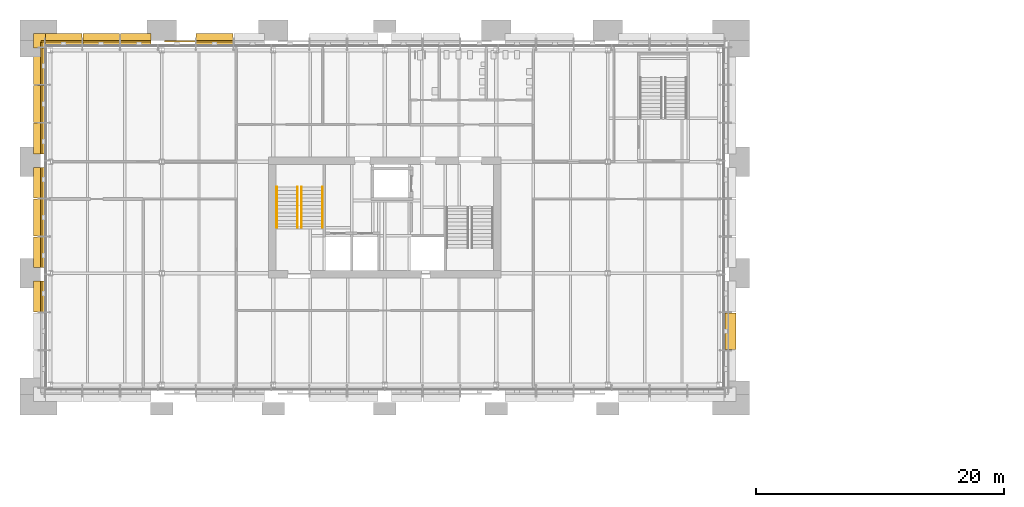
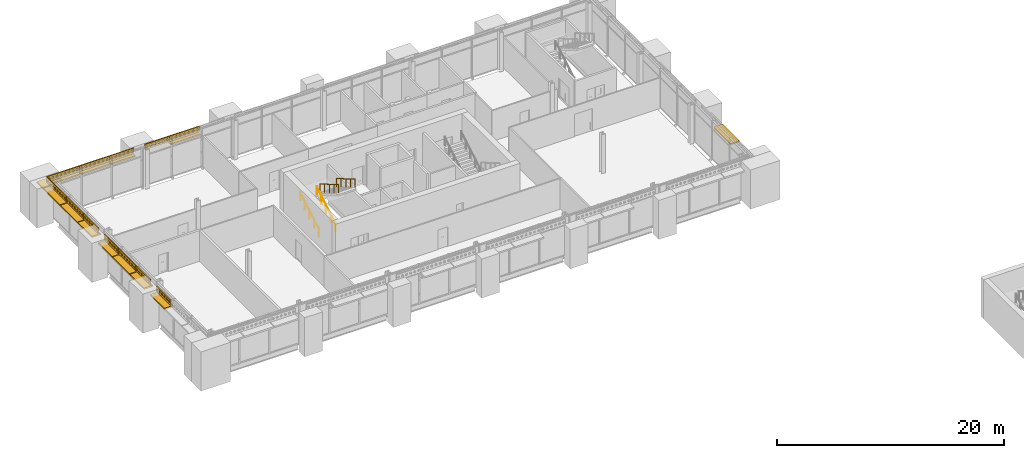
# One storey, part 47 of 54: 25 shading devices, 4 railings.
"""IFC4 building model written with IfcOpenShell, lengths in metres."""

from ifc_helpers import new_model, si_unit, direction, frame, origin, origin_2d, place, context, subcontext, project, spatial, polyline, rectangle, circle, outline, extrude, material, layer, layer_set, type_object, element, save


model = new_model("IFC4")

# Units and contexts
model_context = context("Model", 3, precision=1e-05, world=origin(), true_north=direction((0.0, 1.0)))
body_context = subcontext(model_context, "Body", "Model", "MODEL_VIEW")
ifc_project = project(units=[si_unit("LENGTHUNIT", "METRE"), si_unit("AREAUNIT", "SQUARE_METRE"), si_unit("VOLUMEUNIT", "CUBIC_METRE"), si_unit("PLANEANGLEUNIT", "RADIAN"), si_unit("MASSUNIT", "GRAM", prefix="KILO")], contexts=[model_context])

# Site, building, storey
site_placement = place(None, origin())
site = spatial("IfcSite", under=ifc_project, at=site_placement, CompositionType="ELEMENT")
building_placement = place(site_placement, origin())
building = spatial("IfcBuilding", under=site, at=building_placement, Name="Baradari Gate Terminus", CompositionType="ELEMENT")
storey_placement = place(building_placement, frame((0.0, 0.0, 15.89990234375)))
storey = spatial("IfcBuildingStorey", under=building, at=storey_placement, Name="L03", CompositionType="ELEMENT", Elevation=15.89990234375)

# Shading devices
ifc_material_1 = material(Name="Concrete C40/50 precast", Category="concrete")
ifc_layer_1 = layer(ifc_material_1, 0.14990234375)
ifc_layer_set_1 = layer_set([ifc_layer_1], Name="Concrete C40/50 precast")
shading_device_type_1 = type_object("IfcShadingDeviceType", Name="Chhajja band CJ-1 900x150", PredefinedType="AWNING", material=ifc_layer_set_1)
shading_device_1_placement = place(storey_placement, frame((10.072265625, 144.919921875, 3.332763671875), z_axis=(0.0, 0.0, 1.0), x_axis=(1.0, 0.0, 0.0)))
element("IfcShadingDevice", 1, at=shading_device_1_placement, inside=storey, type_object=shading_device_type_1, Name="Chhajja band CJ-1 L03/TN bay 1", PredefinedType="AWNING", context=body_context, shape_type="SweptSolid", body=[
    extrude(rectangle(XDim=2.939697265625, YDim=0.89990234375, at=origin_2d()), origin(), (0.0, 0.0, 1.0), 0.14990234375),
])
shading_device_2_placement = place(storey_placement, frame((13.1083984375, 144.919921875, 3.332763671875), z_axis=(0.0, 0.0, 1.0), x_axis=(1.0, 0.0, 0.0)))
element("IfcShadingDevice", 2, at=shading_device_2_placement, inside=storey, type_object=shading_device_type_1, Name="Chhajja band CJ-1 L03/TN bay 2", PredefinedType="AWNING", context=body_context, shape_type="SweptSolid", body=[
    extrude(rectangle(XDim=2.97216796875, YDim=0.89990234375, at=origin_2d()), origin(), (0.0, 0.0, 1.0), 0.14990234375),
])
shading_device_3_placement = place(storey_placement, frame((15.905517578125, 144.919921875, 3.332763671875), z_axis=(0.0, 0.0, 1.0), x_axis=(1.0, 0.0, 0.0)))
element("IfcShadingDevice", 3, at=shading_device_3_placement, inside=storey, type_object=shading_device_type_1, Name="Chhajja band CJ-1 L03/TN bay 3", PredefinedType="AWNING", context=body_context, shape_type="SweptSolid", body=[
    extrude(rectangle(XDim=2.462158203125, YDim=0.89990234375, at=origin_2d()), origin(), (0.0, 0.0, 1.0), 0.14990234375),
])
shading_device_4_placement = place(storey_placement, frame((22.264892578125, 144.919921875, 3.332763671875), z_axis=(0.0, 0.0, 1.0), x_axis=(1.0, 0.0, 0.0)))
element("IfcShadingDevice", 4, at=shading_device_4_placement, inside=storey, type_object=shading_device_type_1, Name="Chhajja band CJ-1 L03/TN bay 5", PredefinedType="AWNING", context=body_context, shape_type="SweptSolid", body=[
    extrude(rectangle(XDim=2.97216796875, YDim=0.89990234375, at=origin_2d()), origin(), (0.0, 0.0, 1.0), 0.14990234375),
])
for number, where, z_axis, x_axis, name in (
    (5, (8.080078125, 124.125, 3.332763671875), (0.0, 0.0, 1.0), (0.0, 1.0, 0.0), "Chhajja band CJ-1 L03/TW bay 3"),
    (6, (8.080078125, 127.695068359375, 3.332763671875), (0.0, 0.0, 1.0), (0.0, 1.0, 0.0), "Chhajja band CJ-1 L03/TW bay 4"),
):
    element("IfcShadingDevice", number, at=place(storey_placement, frame(where, z_axis=z_axis, x_axis=x_axis)), inside=storey, type_object=shading_device_type_1, Name=name, PredefinedType="AWNING", context=body_context, shape_type="SweptSolid", body=[
        extrude(rectangle(XDim=2.469970703125, YDim=0.89990234375, at=origin_2d()), origin(), (0.0, 0.0, 1.0), 0.14990234375),
    ])
shading_device_5_placement = place(storey_placement, frame((8.080078125, 130.5, 3.332763671875), z_axis=(0.0, 0.0, 1.0), x_axis=(0.0, 1.0, 0.0)))
element("IfcShadingDevice", 7, at=shading_device_5_placement, inside=storey, type_object=shading_device_type_1, Name="Chhajja band CJ-1 L03/TW bay 5", PredefinedType="AWNING", context=body_context, shape_type="SweptSolid", body=[
    extrude(rectangle(XDim=2.97998046875, YDim=0.89990234375, at=origin_2d()), origin(), (0.0, 0.0, 1.0), 0.14990234375),
])
for number, where, z_axis, x_axis, name in (
    (8, (8.080078125, 133.304931640625, 3.332763671875), (0.0, 0.0, 1.0), (0.0, 1.0, 0.0), "Chhajja band CJ-1 L03/TW bay 6"),
    (9, (8.080078125, 136.875, 3.332763671875), (0.0, 0.0, 1.0), (0.0, 1.0, 0.0), "Chhajja band CJ-1 L03/TW bay 7"),
):
    element("IfcShadingDevice", number, at=place(storey_placement, frame(where, z_axis=z_axis, x_axis=x_axis)), inside=storey, type_object=shading_device_type_1, Name=name, PredefinedType="AWNING", context=body_context, shape_type="SweptSolid", body=[
        extrude(rectangle(XDim=2.469970703125, YDim=0.89990234375, at=origin_2d()), origin(), (0.0, 0.0, 1.0), 0.14990234375),
    ])
shading_device_6_placement = place(storey_placement, frame((8.080078125, 139.679931640625, 3.332763671875), z_axis=(0.0, 0.0, 1.0), x_axis=(0.0, 1.0, 0.0)))
element("IfcShadingDevice", 10, at=shading_device_6_placement, inside=storey, type_object=shading_device_type_1, Name="Chhajja band CJ-1 L03/TW bay 8", PredefinedType="AWNING", context=body_context, shape_type="SweptSolid", body=[
    extrude(rectangle(XDim=2.97998046875, YDim=0.89990234375, at=origin_2d()), origin(), (0.0, 0.0, 1.0), 0.14990234375),
])
shading_device_7_placement = place(storey_placement, frame((8.080078125, 142.7236328125, 3.332763671875), z_axis=(0.0, 0.0, 1.0), x_axis=(0.0, 1.0, 0.0)))
element("IfcShadingDevice", 11, at=shading_device_7_placement, inside=storey, type_object=shading_device_type_1, Name="Chhajja band CJ-1 L03/TW bay 9", PredefinedType="AWNING", context=body_context, shape_type="SweptSolid", body=[
    extrude(rectangle(XDim=2.947509765625, YDim=0.89990234375, at=origin_2d()), origin(), (0.0, 0.0, 1.0), 0.14990234375),
])
shading_device_8_placement = place(storey_placement, frame((63.919921875, 121.320068359375, 3.332763671875), z_axis=(0.0, 0.0, 1.0), x_axis=(0.0, 1.0, 0.0)))
element("IfcShadingDevice", 12, at=shading_device_8_placement, inside=storey, type_object=shading_device_type_1, Name="Chhajja band CJ-1 L03/TE bay 2", PredefinedType="AWNING", context=body_context, shape_type="SweptSolid", body=[
    extrude(rectangle(XDim=2.97998046875, YDim=0.89990234375, at=origin_2d()), origin(), (0.0, 0.0, 1.0), 0.14990234375),
])
shading_device_9_placement = place(storey_placement, frame((0.0, 0.0, 3.33251953125)))
element("IfcShadingDevice", 13, at=shading_device_9_placement, inside=storey, type_object=shading_device_type_1, Name="Chhajja band CJ-1 L03/NW corner", PredefinedType="AWNING", context=body_context, shape_type="SweptSolid", body=[
    extrude(outline(polyline([(7.6298828125, 144.197509765625), (8.530029296875, 144.197509765625), (8.530029296875, 144.469970703125), (8.6025390625, 144.469970703125), (8.6025390625, 145.3701171875), (7.6298828125, 145.3701171875), (7.6298828125, 144.197509765625)])), origin(), (0.0, 0.0, 1.0), 0.150146484375),
])

# Railings
ifc_material_2 = material(Name="Stainless steel 1.4301", Category="steel")
railing_type = type_object("IfcRailingType", Name="Handrail HR-1 900", PredefinedType="HANDRAIL", material=ifc_material_2)
for number, where, name in (
    (14, (27.284912109375, 129.675048828125, 0.175048828125), "Handrail ST-T1 L03 flight 1"),
    (15, (28.965087890625, 129.675048828125, 0.175048828125), "Handrail ST-T1 L03 flight 1"),
):
    element("IfcRailing", number, at=place(storey_placement, frame(where)), inside=storey, type_object=railing_type, Name=name, PredefinedType="HANDRAIL", context=body_context, shape_type="SweptSolid", body=[
        extrude(circle(Radius=0.02392578125, at=origin_2d()), frame((0.0, 0.0, 0.8759765625), z_axis=(0.0, 0.863776583165, 0.503874998761), x_axis=(-1.0, 0.0, 0.0)), (0.0, 0.0, 1.0), 3.820556640625),
        extrude(circle(Radius=0.02099609375, at=origin_2d()), origin(), (0.0, 0.0, 1.0), 0.851806640625),
        extrude(circle(Radius=0.02099609375, at=origin_2d()), frame((0.0, 0.824951171875, 0.481201171875)), (0.0, 0.0, 1.0), 0.851806640625),
        extrude(circle(Radius=0.02099609375, at=origin_2d()), frame((0.0, 1.64990234375, 0.96240234375)), (0.0, 0.0, 1.0), 0.851806640625),
        extrude(circle(Radius=0.02099609375, at=origin_2d()), frame((0.0, 2.47509765625, 1.44384765625)), (0.0, 0.0, 1.0), 0.851806640625),
        extrude(circle(Radius=0.02099609375, at=origin_2d()), frame((0.0, 3.300048828125, 1.925048828125)), (0.0, 0.0, 1.0), 0.851806640625),
    ])
for number, where, name in (
    (16, (29.284912109375, 132.97509765625, 2.275146484375), "Handrail ST-T1 L03 flight 2"),
    (17, (30.965087890625, 132.97509765625, 2.275146484375), "Handrail ST-T1 L03 flight 2"),
):
    element("IfcRailing", number, at=place(storey_placement, frame(where)), inside=storey, type_object=railing_type, Name=name, PredefinedType="HANDRAIL", context=body_context, shape_type="SweptSolid", body=[
        extrude(circle(Radius=0.02392578125, at=origin_2d()), frame((0.0, 0.0, 0.8759765625), z_axis=(0.0, -0.863776583165, 0.503874998761), x_axis=(1.0, 0.0, 0.0)), (0.0, 0.0, 1.0), 3.820556640625),
        extrude(circle(Radius=0.02099609375, at=origin_2d()), origin(), (0.0, 0.0, 1.0), 0.851806640625),
        extrude(circle(Radius=0.02099609375, at=origin_2d()), frame((0.0, -0.824951171875, 0.481201171875)), (0.0, 0.0, 1.0), 0.851806640625),
        extrude(circle(Radius=0.02099609375, at=origin_2d()), frame((0.0, -1.64990234375, 0.96240234375)), (0.0, 0.0, 1.0), 0.851806640625),
        extrude(circle(Radius=0.02099609375, at=origin_2d()), frame((0.0, -2.47509765625, 1.44384765625)), (0.0, 0.0, 1.0), 0.851806640625),
        extrude(circle(Radius=0.02099609375, at=origin_2d()), frame((0.0, -3.300048828125, 1.925048828125)), (0.0, 0.0, 1.0), 0.851806640625),
    ])

# Shading devices
ifc_material_3 = material(Name="Concrete C50/60 precast", Category="concrete")
ifc_layer_2 = layer(ifc_material_3, 0.10009765625)
ifc_layer_set_2 = layer_set([ifc_layer_2], Name="Concrete C50/60 precast")
shading_device_type_2 = type_object("IfcShadingDeviceType", Name="Jali screen panel JS-1 100", PredefinedType="SHUTTER", material=ifc_layer_set_2)
shading_device_10_placement = place(storey_placement, frame((8.262451171875, 144.719970703125, 3.583740234375), z_axis=(0.0, 0.0, 1.0), x_axis=(1.0, 0.0, 0.0)))
element("IfcShadingDevice", 18, at=shading_device_10_placement, inside=storey, type_object=shading_device_type_2, Name="Jali screen panel JS-1 L03/TN bay 1", PredefinedType="SHUTTER", context=body_context, shape_type="SweptSolid", body=[
    extrude(outline(polyline([(0.0, 0.0), (3.2998046875, 0.0), (3.2998046875, 0.60009765625), (0.0, 0.60009765625), (0.0, 0.0)]), holes=[polyline([(0.336181640625, 0.300048828125), (0.271240234375, 0.1875), (0.14111328125, 0.1875), (0.076171875, 0.300048828125), (0.14111328125, 0.41259765625), (0.271240234375, 0.41259765625), (0.336181640625, 0.300048828125)]), polyline([(0.748779296875, 0.300048828125), (0.68359375, 0.1875), (0.5537109375, 0.1875), (0.48876953125, 0.300048828125), (0.5537109375, 0.41259765625), (0.68359375, 0.41259765625), (0.748779296875, 0.300048828125)]), polyline([(1.1611328125, 0.300048828125), (1.09619140625, 0.1875), (0.966064453125, 0.1875), (0.901123046875, 0.300048828125), (0.966064453125, 0.41259765625), (1.09619140625, 0.41259765625), (1.1611328125, 0.300048828125)]), polyline([(1.57373046875, 0.300048828125), (1.508544921875, 0.1875), (1.378662109375, 0.1875), (1.313720703125, 0.300048828125), (1.378662109375, 0.41259765625), (1.508544921875, 0.41259765625), (1.57373046875, 0.300048828125)]), polyline([(1.986083984375, 0.300048828125), (1.921142578125, 0.1875), (1.791015625, 0.1875), (1.72607421875, 0.300048828125), (1.791015625, 0.41259765625), (1.921142578125, 0.41259765625), (1.986083984375, 0.300048828125)]), polyline([(2.3984375, 0.300048828125), (2.33349609375, 0.1875), (2.20361328125, 0.1875), (2.138671875, 0.300048828125), (2.20361328125, 0.41259765625), (2.33349609375, 0.41259765625), (2.3984375, 0.300048828125)]), polyline([(2.81103515625, 0.300048828125), (2.74609375, 0.1875), (2.615966796875, 0.1875), (2.551025390625, 0.300048828125), (2.615966796875, 0.41259765625), (2.74609375, 0.41259765625), (2.81103515625, 0.300048828125)]), polyline([(3.223388671875, 0.300048828125), (3.158447265625, 0.1875), (3.028564453125, 0.1875), (2.96337890625, 0.300048828125), (3.028564453125, 0.41259765625), (3.158447265625, 0.41259765625), (3.223388671875, 0.300048828125)])]), frame((0.0, 0.050048828125, 0.0), z_axis=(0.0, -1.0, 0.0), x_axis=(1.0, 0.0, 0.0)), (0.0, 0.0, 1.0), 0.10009765625),
])
shading_device_11_placement = place(storey_placement, frame((11.602294921875, 144.719970703125, 3.583740234375), z_axis=(0.0, 0.0, 1.0), x_axis=(1.0, 0.0, 0.0)))
element("IfcShadingDevice", 19, at=shading_device_11_placement, inside=storey, type_object=shading_device_type_2, Name="Jali screen panel JS-1 L03/TN bay 2", PredefinedType="SHUTTER", context=body_context, shape_type="SweptSolid", body=[
    extrude(outline(polyline([(0.0, 0.0), (3.01220703125, 0.0), (3.01220703125, 0.60009765625), (0.0, 0.60009765625), (0.0, 0.0)]), holes=[polyline([(0.34521484375, 0.300048828125), (0.2802734375, 0.1875), (0.150146484375, 0.1875), (0.085205078125, 0.300048828125), (0.150146484375, 0.41259765625), (0.2802734375, 0.41259765625), (0.34521484375, 0.300048828125)]), polyline([(0.775390625, 0.300048828125), (0.71044921875, 0.1875), (0.58056640625, 0.1875), (0.515380859375, 0.300048828125), (0.58056640625, 0.41259765625), (0.71044921875, 0.41259765625), (0.775390625, 0.300048828125)]), polyline([(1.205810546875, 0.300048828125), (1.140869140625, 0.1875), (1.0107421875, 0.1875), (0.94580078125, 0.300048828125), (1.0107421875, 0.41259765625), (1.140869140625, 0.41259765625), (1.205810546875, 0.300048828125)]), polyline([(1.63623046875, 0.300048828125), (1.571044921875, 0.1875), (1.441162109375, 0.1875), (1.376220703125, 0.300048828125), (1.441162109375, 0.41259765625), (1.571044921875, 0.41259765625), (1.63623046875, 0.300048828125)]), polyline([(2.06640625, 0.300048828125), (2.00146484375, 0.1875), (1.871337890625, 0.1875), (1.806396484375, 0.300048828125), (1.871337890625, 0.41259765625), (2.00146484375, 0.41259765625), (2.06640625, 0.300048828125)]), polyline([(2.496826171875, 0.300048828125), (2.431640625, 0.1875), (2.3017578125, 0.1875), (2.23681640625, 0.300048828125), (2.3017578125, 0.41259765625), (2.431640625, 0.41259765625), (2.496826171875, 0.300048828125)]), polyline([(2.927001953125, 0.300048828125), (2.862060546875, 0.1875), (2.732177734375, 0.1875), (2.6669921875, 0.300048828125), (2.732177734375, 0.41259765625), (2.862060546875, 0.41259765625), (2.927001953125, 0.300048828125)])]), frame((0.0, 0.050048828125, 0.0), z_axis=(0.0, -1.0, 0.0), x_axis=(1.0, 0.0, 0.0)), (0.0, 0.0, 1.0), 0.10009765625),
])
shading_device_12_placement = place(storey_placement, frame((14.654541015625, 144.719970703125, 3.583740234375), z_axis=(0.0, 0.0, 1.0), x_axis=(1.0, 0.0, 0.0)))
element("IfcShadingDevice", 20, at=shading_device_12_placement, inside=storey, type_object=shading_device_type_2, Name="Jali screen panel JS-1 L03/TN bay 3", PredefinedType="SHUTTER", context=body_context, shape_type="SweptSolid", body=[
    extrude(outline(polyline([(0.0, 0.0), (2.482177734375, 0.0), (2.482177734375, 0.60009765625), (0.0, 0.60009765625), (0.0, 0.0)]), holes=[polyline([(0.3369140625, 0.300048828125), (0.27197265625, 0.1875), (0.141845703125, 0.1875), (0.076904296875, 0.300048828125), (0.141845703125, 0.41259765625), (0.27197265625, 0.41259765625), (0.3369140625, 0.300048828125)]), polyline([(0.75048828125, 0.300048828125), (0.685546875, 0.1875), (0.5556640625, 0.1875), (0.490478515625, 0.300048828125), (0.5556640625, 0.41259765625), (0.685546875, 0.41259765625), (0.75048828125, 0.300048828125)]), polyline([(1.164306640625, 0.300048828125), (1.099365234375, 0.1875), (0.96923828125, 0.1875), (0.904296875, 0.300048828125), (0.96923828125, 0.41259765625), (1.099365234375, 0.41259765625), (1.164306640625, 0.300048828125)]), polyline([(1.577880859375, 0.300048828125), (1.512939453125, 0.1875), (1.383056640625, 0.1875), (1.31787109375, 0.300048828125), (1.383056640625, 0.41259765625), (1.512939453125, 0.41259765625), (1.577880859375, 0.300048828125)]), polyline([(1.99169921875, 0.300048828125), (1.9267578125, 0.1875), (1.796630859375, 0.1875), (1.731689453125, 0.300048828125), (1.796630859375, 0.41259765625), (1.9267578125, 0.41259765625), (1.99169921875, 0.300048828125)]), polyline([(2.4052734375, 0.300048828125), (2.34033203125, 0.1875), (2.21044921875, 0.1875), (2.145263671875, 0.300048828125), (2.21044921875, 0.41259765625), (2.34033203125, 0.41259765625), (2.4052734375, 0.300048828125)])]), frame((0.0, 0.050048828125, 0.0), z_axis=(0.0, -1.0, 0.0), x_axis=(1.0, 0.0, 0.0)), (0.0, 0.0, 1.0), 0.10009765625),
])
shading_device_13_placement = place(storey_placement, frame((18.236572265625, 144.719970703125, 3.583740234375), z_axis=(0.0, 0.0, 1.0), x_axis=(1.0, 0.0, 0.0)))
element("IfcShadingDevice", 21, at=shading_device_13_placement, inside=storey, type_object=shading_device_type_2, Name="Jali screen panel JS-1 L03/TN bay 4", PredefinedType="SHUTTER", context=body_context, shape_type="SweptSolid", body=[
    extrude(outline(polyline([(0.0, 0.0), (2.482421875, 0.0), (2.482421875, 0.60009765625), (0.0, 0.60009765625), (0.0, 0.0)]), holes=[polyline([(0.3369140625, 0.300048828125), (0.27197265625, 0.1875), (0.141845703125, 0.1875), (0.076904296875, 0.300048828125), (0.141845703125, 0.41259765625), (0.27197265625, 0.41259765625), (0.3369140625, 0.300048828125)]), polyline([(0.75048828125, 0.300048828125), (0.685546875, 0.1875), (0.5556640625, 0.1875), (0.490478515625, 0.300048828125), (0.5556640625, 0.41259765625), (0.685546875, 0.41259765625), (0.75048828125, 0.300048828125)]), polyline([(1.164306640625, 0.300048828125), (1.099365234375, 0.1875), (0.96923828125, 0.1875), (0.904296875, 0.300048828125), (0.96923828125, 0.41259765625), (1.099365234375, 0.41259765625), (1.164306640625, 0.300048828125)]), polyline([(1.577880859375, 0.300048828125), (1.512939453125, 0.1875), (1.383056640625, 0.1875), (1.31787109375, 0.300048828125), (1.383056640625, 0.41259765625), (1.512939453125, 0.41259765625), (1.577880859375, 0.300048828125)]), polyline([(1.99169921875, 0.300048828125), (1.9267578125, 0.1875), (1.796630859375, 0.1875), (1.731689453125, 0.300048828125), (1.796630859375, 0.41259765625), (1.9267578125, 0.41259765625), (1.99169921875, 0.300048828125)]), polyline([(2.4052734375, 0.300048828125), (2.34033203125, 0.1875), (2.21044921875, 0.1875), (2.145263671875, 0.300048828125), (2.21044921875, 0.41259765625), (2.34033203125, 0.41259765625), (2.4052734375, 0.300048828125)])]), frame((0.0, 0.050048828125, 0.0), z_axis=(0.0, -1.0, 0.0), x_axis=(1.0, 0.0, 0.0)), (0.0, 0.0, 1.0), 0.10009765625),
])
shading_device_14_placement = place(storey_placement, frame((20.7587890625, 144.719970703125, 3.583740234375), z_axis=(0.0, 0.0, 1.0), x_axis=(1.0, 0.0, 0.0)))
element("IfcShadingDevice", 22, at=shading_device_14_placement, inside=storey, type_object=shading_device_type_2, Name="Jali screen panel JS-1 L03/TN bay 5", PredefinedType="SHUTTER", context=body_context, shape_type="SweptSolid", body=[
    extrude(outline(polyline([(0.0, 0.0), (3.01220703125, 0.0), (3.01220703125, 0.60009765625), (0.0, 0.60009765625), (0.0, 0.0)]), holes=[polyline([(0.34521484375, 0.300048828125), (0.2802734375, 0.1875), (0.150146484375, 0.1875), (0.085205078125, 0.300048828125), (0.150146484375, 0.41259765625), (0.2802734375, 0.41259765625), (0.34521484375, 0.300048828125)]), polyline([(0.775390625, 0.300048828125), (0.71044921875, 0.1875), (0.58056640625, 0.1875), (0.515380859375, 0.300048828125), (0.58056640625, 0.41259765625), (0.71044921875, 0.41259765625), (0.775390625, 0.300048828125)]), polyline([(1.205810546875, 0.300048828125), (1.140869140625, 0.1875), (1.0107421875, 0.1875), (0.94580078125, 0.300048828125), (1.0107421875, 0.41259765625), (1.140869140625, 0.41259765625), (1.205810546875, 0.300048828125)]), polyline([(1.63623046875, 0.300048828125), (1.571044921875, 0.1875), (1.441162109375, 0.1875), (1.376220703125, 0.300048828125), (1.441162109375, 0.41259765625), (1.571044921875, 0.41259765625), (1.63623046875, 0.300048828125)]), polyline([(2.06640625, 0.300048828125), (2.00146484375, 0.1875), (1.871337890625, 0.1875), (1.806396484375, 0.300048828125), (1.871337890625, 0.41259765625), (2.00146484375, 0.41259765625), (2.06640625, 0.300048828125)]), polyline([(2.496826171875, 0.300048828125), (2.431640625, 0.1875), (2.3017578125, 0.1875), (2.23681640625, 0.300048828125), (2.3017578125, 0.41259765625), (2.431640625, 0.41259765625), (2.496826171875, 0.300048828125)]), polyline([(2.927001953125, 0.300048828125), (2.862060546875, 0.1875), (2.732177734375, 0.1875), (2.6669921875, 0.300048828125), (2.732177734375, 0.41259765625), (2.862060546875, 0.41259765625), (2.927001953125, 0.300048828125)])]), frame((0.0, 0.050048828125, 0.0), z_axis=(0.0, -1.0, 0.0), x_axis=(1.0, 0.0, 0.0)), (0.0, 0.0, 1.0), 0.10009765625),
])
for number, where, z_axis, x_axis, name in (
    (23, (8.280029296875, 122.8701171875, 3.583740234375), (0.0, 0.0, 1.0), (0.0, 1.0, 0.0), "Jali screen panel JS-1 L03/TW bay 3"),
    (24, (8.280029296875, 126.4599609375, 3.583740234375), (0.0, 0.0, 1.0), (0.0, 1.0, 0.0), "Jali screen panel JS-1 L03/TW bay 4"),
):
    element("IfcShadingDevice", number, at=place(storey_placement, frame(where, z_axis=z_axis, x_axis=x_axis)), inside=storey, type_object=shading_device_type_2, Name=name, PredefinedType="SHUTTER", context=body_context, shape_type="SweptSolid", body=[
        extrude(outline(polyline([(0.0, 0.0), (2.489990234375, 0.0), (2.489990234375, 0.60009765625), (0.0, 0.60009765625), (0.0, 0.0)]), holes=[polyline([(0.33740234375, 0.300048828125), (0.2724609375, 0.1875), (0.142578125, 0.1875), (0.077392578125, 0.300048828125), (0.142578125, 0.41259765625), (0.2724609375, 0.41259765625), (0.33740234375, 0.300048828125)]), polyline([(0.75244140625, 0.300048828125), (0.6875, 0.1875), (0.5576171875, 0.1875), (0.492431640625, 0.300048828125), (0.5576171875, 0.41259765625), (0.6875, 0.41259765625), (0.75244140625, 0.300048828125)]), polyline([(1.16748046875, 0.300048828125), (1.1025390625, 0.1875), (0.972412109375, 0.1875), (0.907470703125, 0.300048828125), (0.972412109375, 0.41259765625), (1.1025390625, 0.41259765625), (1.16748046875, 0.300048828125)]), polyline([(1.58251953125, 0.300048828125), (1.517578125, 0.1875), (1.387451171875, 0.1875), (1.322509765625, 0.300048828125), (1.387451171875, 0.41259765625), (1.517578125, 0.41259765625), (1.58251953125, 0.300048828125)]), polyline([(1.99755859375, 0.300048828125), (1.9326171875, 0.1875), (1.802490234375, 0.1875), (1.737548828125, 0.300048828125), (1.802490234375, 0.41259765625), (1.9326171875, 0.41259765625), (1.99755859375, 0.300048828125)]), polyline([(2.41259765625, 0.300048828125), (2.347412109375, 0.1875), (2.217529296875, 0.1875), (2.152587890625, 0.300048828125), (2.217529296875, 0.41259765625), (2.347412109375, 0.41259765625), (2.41259765625, 0.300048828125)])]), frame((0.0, 0.050048828125, 0.0), z_axis=(0.0, -1.0, 0.0), x_axis=(1.0, 0.0, 0.0)), (0.0, 0.0, 1.0), 0.10009765625),
    ])
shading_device_15_placement = place(storey_placement, frame((8.280029296875, 128.989990234375, 3.583740234375), z_axis=(0.0, 0.0, 1.0), x_axis=(0.0, 1.0, 0.0)))
element("IfcShadingDevice", 25, at=shading_device_15_placement, inside=storey, type_object=shading_device_type_2, Name="Jali screen panel JS-1 L03/TW bay 5", PredefinedType="SHUTTER", context=body_context, shape_type="SweptSolid", body=[
    extrude(outline(polyline([(0.0, 0.0), (3.02001953125, 0.0), (3.02001953125, 0.60009765625), (0.0, 0.60009765625), (0.0, 0.0)]), holes=[polyline([(0.345703125, 0.300048828125), (0.28076171875, 0.1875), (0.150634765625, 0.1875), (0.085693359375, 0.300048828125), (0.150634765625, 0.41259765625), (0.28076171875, 0.41259765625), (0.345703125, 0.300048828125)]), polyline([(0.777099609375, 0.300048828125), (0.712158203125, 0.1875), (0.58203125, 0.1875), (0.51708984375, 0.300048828125), (0.58203125, 0.41259765625), (0.712158203125, 0.41259765625), (0.777099609375, 0.300048828125)]), polyline([(1.20849609375, 0.300048828125), (1.1435546875, 0.1875), (1.013671875, 0.1875), (0.948486328125, 0.300048828125), (1.013671875, 0.41259765625), (1.1435546875, 0.41259765625), (1.20849609375, 0.300048828125)]), polyline([(1.639892578125, 0.300048828125), (1.574951171875, 0.1875), (1.445068359375, 0.1875), (1.3798828125, 0.300048828125), (1.445068359375, 0.41259765625), (1.574951171875, 0.41259765625), (1.639892578125, 0.300048828125)]), polyline([(2.071533203125, 0.300048828125), (2.00634765625, 0.1875), (1.87646484375, 0.1875), (1.8115234375, 0.300048828125), (1.87646484375, 0.41259765625), (2.00634765625, 0.41259765625), (2.071533203125, 0.300048828125)]), polyline([(2.5029296875, 0.300048828125), (2.437744140625, 0.1875), (2.307861328125, 0.1875), (2.242919921875, 0.300048828125), (2.307861328125, 0.41259765625), (2.437744140625, 0.41259765625), (2.5029296875, 0.300048828125)]), polyline([(2.934326171875, 0.300048828125), (2.869384765625, 0.1875), (2.7392578125, 0.1875), (2.67431640625, 0.300048828125), (2.7392578125, 0.41259765625), (2.869384765625, 0.41259765625), (2.934326171875, 0.300048828125)])]), frame((0.0, 0.050048828125, 0.0), z_axis=(0.0, -1.0, 0.0), x_axis=(1.0, 0.0, 0.0)), (0.0, 0.0, 1.0), 0.10009765625),
])
for number, where, z_axis, x_axis, name in (
    (26, (8.280029296875, 132.050048828125, 3.583740234375), (0.0, 0.0, 1.0), (0.0, 1.0, 0.0), "Jali screen panel JS-1 L03/TW bay 6"),
    (27, (8.280029296875, 135.639892578125, 3.583740234375), (0.0, 0.0, 1.0), (0.0, 1.0, 0.0), "Jali screen panel JS-1 L03/TW bay 7"),
):
    element("IfcShadingDevice", number, at=place(storey_placement, frame(where, z_axis=z_axis, x_axis=x_axis)), inside=storey, type_object=shading_device_type_2, Name=name, PredefinedType="SHUTTER", context=body_context, shape_type="SweptSolid", body=[
        extrude(outline(polyline([(0.0, 0.0), (2.489990234375, 0.0), (2.489990234375, 0.60009765625), (0.0, 0.60009765625), (0.0, 0.0)]), holes=[polyline([(0.33740234375, 0.300048828125), (0.2724609375, 0.1875), (0.142578125, 0.1875), (0.077392578125, 0.300048828125), (0.142578125, 0.41259765625), (0.2724609375, 0.41259765625), (0.33740234375, 0.300048828125)]), polyline([(0.75244140625, 0.300048828125), (0.6875, 0.1875), (0.5576171875, 0.1875), (0.492431640625, 0.300048828125), (0.5576171875, 0.41259765625), (0.6875, 0.41259765625), (0.75244140625, 0.300048828125)]), polyline([(1.16748046875, 0.300048828125), (1.1025390625, 0.1875), (0.972412109375, 0.1875), (0.907470703125, 0.300048828125), (0.972412109375, 0.41259765625), (1.1025390625, 0.41259765625), (1.16748046875, 0.300048828125)]), polyline([(1.58251953125, 0.300048828125), (1.517578125, 0.1875), (1.387451171875, 0.1875), (1.322509765625, 0.300048828125), (1.387451171875, 0.41259765625), (1.517578125, 0.41259765625), (1.58251953125, 0.300048828125)]), polyline([(1.99755859375, 0.300048828125), (1.9326171875, 0.1875), (1.802490234375, 0.1875), (1.737548828125, 0.300048828125), (1.802490234375, 0.41259765625), (1.9326171875, 0.41259765625), (1.99755859375, 0.300048828125)]), polyline([(2.41259765625, 0.300048828125), (2.347412109375, 0.1875), (2.217529296875, 0.1875), (2.152587890625, 0.300048828125), (2.217529296875, 0.41259765625), (2.347412109375, 0.41259765625), (2.41259765625, 0.300048828125)])]), frame((0.0, 0.050048828125, 0.0), z_axis=(0.0, -1.0, 0.0), x_axis=(1.0, 0.0, 0.0)), (0.0, 0.0, 1.0), 0.10009765625),
    ])
shading_device_16_placement = place(storey_placement, frame((8.280029296875, 138.169921875, 3.583740234375), z_axis=(0.0, 0.0, 1.0), x_axis=(0.0, 1.0, 0.0)))
element("IfcShadingDevice", 28, at=shading_device_16_placement, inside=storey, type_object=shading_device_type_2, Name="Jali screen panel JS-1 L03/TW bay 8", PredefinedType="SHUTTER", context=body_context, shape_type="SweptSolid", body=[
    extrude(outline(polyline([(0.0, 0.0), (3.02001953125, 0.0), (3.02001953125, 0.60009765625), (0.0, 0.60009765625), (0.0, 0.0)]), holes=[polyline([(0.345703125, 0.300048828125), (0.28076171875, 0.1875), (0.150634765625, 0.1875), (0.085693359375, 0.300048828125), (0.150634765625, 0.41259765625), (0.28076171875, 0.41259765625), (0.345703125, 0.300048828125)]), polyline([(0.777099609375, 0.300048828125), (0.712158203125, 0.1875), (0.58203125, 0.1875), (0.51708984375, 0.300048828125), (0.58203125, 0.41259765625), (0.712158203125, 0.41259765625), (0.777099609375, 0.300048828125)]), polyline([(1.20849609375, 0.300048828125), (1.1435546875, 0.1875), (1.013671875, 0.1875), (0.948486328125, 0.300048828125), (1.013671875, 0.41259765625), (1.1435546875, 0.41259765625), (1.20849609375, 0.300048828125)]), polyline([(1.639892578125, 0.300048828125), (1.574951171875, 0.1875), (1.445068359375, 0.1875), (1.3798828125, 0.300048828125), (1.445068359375, 0.41259765625), (1.574951171875, 0.41259765625), (1.639892578125, 0.300048828125)]), polyline([(2.071533203125, 0.300048828125), (2.00634765625, 0.1875), (1.87646484375, 0.1875), (1.8115234375, 0.300048828125), (1.87646484375, 0.41259765625), (2.00634765625, 0.41259765625), (2.071533203125, 0.300048828125)]), polyline([(2.5029296875, 0.300048828125), (2.437744140625, 0.1875), (2.307861328125, 0.1875), (2.242919921875, 0.300048828125), (2.307861328125, 0.41259765625), (2.437744140625, 0.41259765625), (2.5029296875, 0.300048828125)]), polyline([(2.934326171875, 0.300048828125), (2.869384765625, 0.1875), (2.7392578125, 0.1875), (2.67431640625, 0.300048828125), (2.7392578125, 0.41259765625), (2.869384765625, 0.41259765625), (2.934326171875, 0.300048828125)])]), frame((0.0, 0.050048828125, 0.0), z_axis=(0.0, -1.0, 0.0), x_axis=(1.0, 0.0, 0.0)), (0.0, 0.0, 1.0), 0.10009765625),
])
shading_device_17_placement = place(storey_placement, frame((8.280029296875, 141.22998046875, 3.583740234375), z_axis=(0.0, 0.0, 1.0), x_axis=(0.0, 1.0, 0.0)))
element("IfcShadingDevice", 29, at=shading_device_17_placement, inside=storey, type_object=shading_device_type_2, Name="Jali screen panel JS-1 L03/TW bay 9", PredefinedType="SHUTTER", context=body_context, shape_type="SweptSolid", body=[
    extrude(outline(polyline([(0.0, 0.0), (3.407470703125, 0.0), (3.407470703125, 0.60009765625), (0.0, 0.60009765625), (0.0, 0.0)]), holes=[polyline([(0.343017578125, 0.300048828125), (0.278076171875, 0.1875), (0.14794921875, 0.1875), (0.0830078125, 0.300048828125), (0.14794921875, 0.41259765625), (0.278076171875, 0.41259765625), (0.343017578125, 0.300048828125)]), polyline([(0.768798828125, 0.300048828125), (0.703857421875, 0.1875), (0.573974609375, 0.1875), (0.5087890625, 0.300048828125), (0.573974609375, 0.41259765625), (0.703857421875, 0.41259765625), (0.768798828125, 0.300048828125)]), polyline([(1.19482421875, 0.300048828125), (1.1298828125, 0.1875), (0.999755859375, 0.1875), (0.934814453125, 0.300048828125), (0.999755859375, 0.41259765625), (1.1298828125, 0.41259765625), (1.19482421875, 0.300048828125)]), polyline([(1.620849609375, 0.300048828125), (1.5556640625, 0.1875), (1.42578125, 0.1875), (1.36083984375, 0.300048828125), (1.42578125, 0.41259765625), (1.5556640625, 0.41259765625), (1.620849609375, 0.300048828125)]), polyline([(2.046630859375, 0.300048828125), (1.981689453125, 0.1875), (1.851806640625, 0.1875), (1.78662109375, 0.300048828125), (1.851806640625, 0.41259765625), (1.981689453125, 0.41259765625), (2.046630859375, 0.300048828125)]), polyline([(2.47265625, 0.300048828125), (2.40771484375, 0.1875), (2.277587890625, 0.1875), (2.212646484375, 0.300048828125), (2.277587890625, 0.41259765625), (2.40771484375, 0.41259765625), (2.47265625, 0.300048828125)]), polyline([(2.898681640625, 0.300048828125), (2.83349609375, 0.1875), (2.70361328125, 0.1875), (2.638671875, 0.300048828125), (2.70361328125, 0.41259765625), (2.83349609375, 0.41259765625), (2.898681640625, 0.300048828125)]), polyline([(3.324462890625, 0.300048828125), (3.259521484375, 0.1875), (3.129638671875, 0.1875), (3.064453125, 0.300048828125), (3.129638671875, 0.41259765625), (3.259521484375, 0.41259765625), (3.324462890625, 0.300048828125)])]), frame((0.0, 0.050048828125, 0.0), z_axis=(0.0, -1.0, 0.0), x_axis=(1.0, 0.0, 0.0)), (0.0, 0.0, 1.0), 0.10009765625),
])

save(model, "model.ifc")
